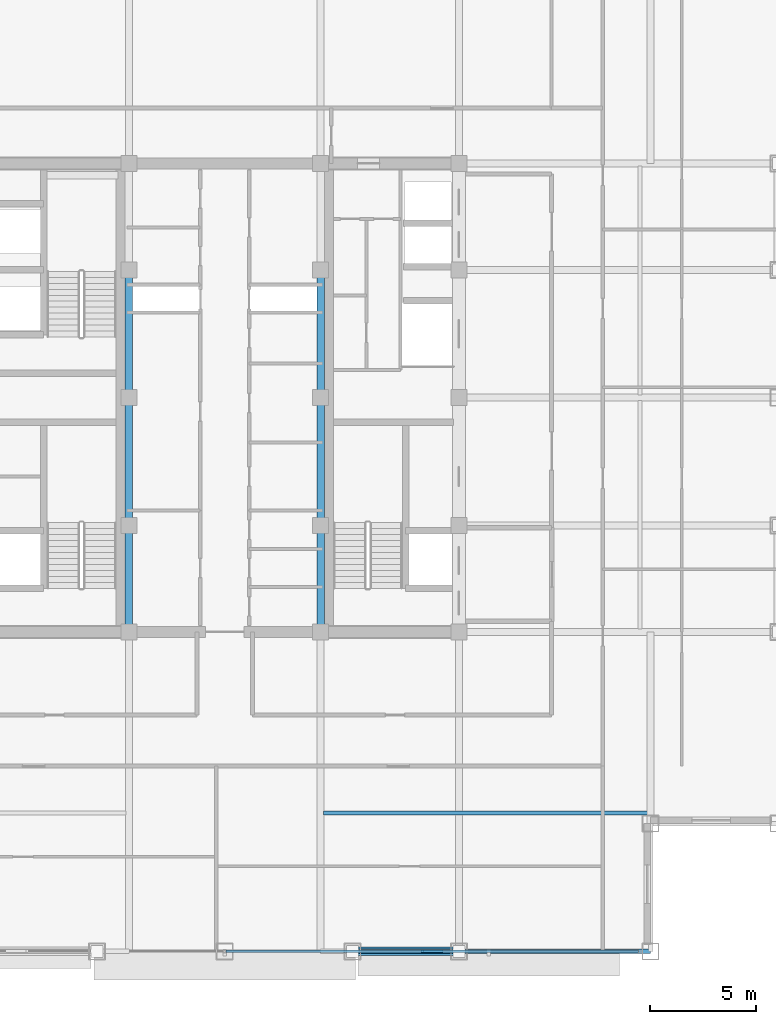
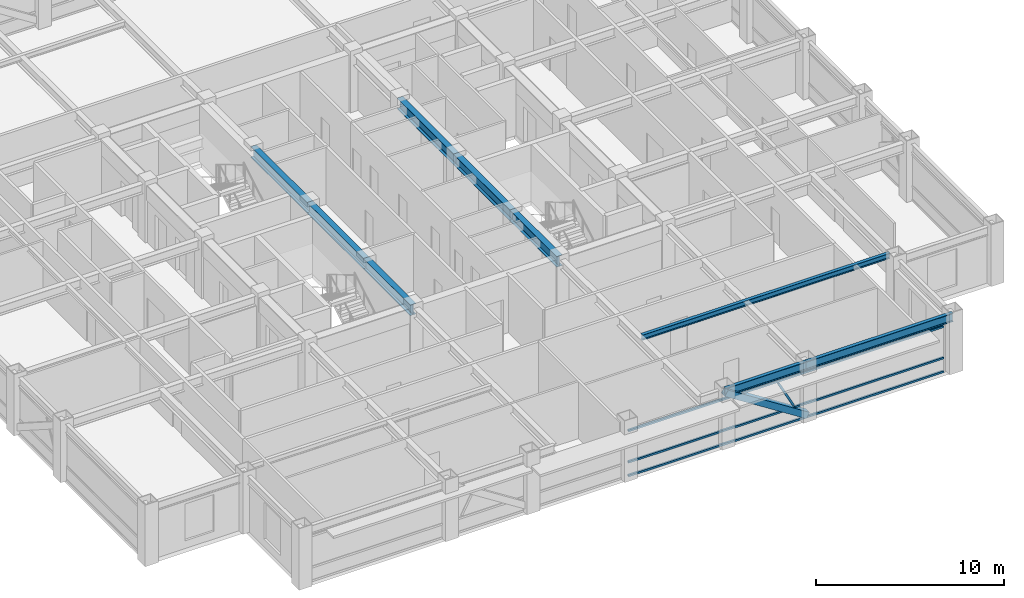
# One storey, part 7 of 32: 9 beams, 5 members, 1 element without a shape of its own.
"""IFC4 building model written with IfcOpenShell, lengths in metres."""

import ifcopenshell
import ifcopenshell.guid

model = None  # the IFC model being written
_history = None  # IfcOwnerHistory: only IFC2X3 demands one
_inside = {}  # id of a spatial element -> (the spatial element, [elements in it])
_under = {}  # id of a project, library or spatial element -> (it, [spatial elements below it])
_declared = {}  # id of a project -> (the project, [libraries it declares])
_typed = {}  # id of a type object -> (the type object, [elements of that type])
_made_of = {}  # id of a material, layer set ... -> (it, [elements and type objects made of it])


def new_model(schema):
    """Start an empty IFC model of exactly this schema.

    Asked for "IFC4X3", IfcOpenShell would pick the latest addendum, in which some entities
    have other attributes; the version numbers below select the first issue.
    IFC2X3 requires an IfcOwnerHistory on every rooted entity: one is made here for all.
    """
    global model, _history
    if schema == "IFC4X3":
        model = ifcopenshell.file(schema_version=(4, 3, 0, 0))
    else:
        model = ifcopenshell.file(schema=schema)
    _inside.clear()
    _under.clear()
    _declared.clear()
    _typed.clear()
    _made_of.clear()
    _history = None
    if model.schema == "IFC2X3":
        org = make("IfcOrganization", Name="unknown")
        user = make(
            "IfcPersonAndOrganization",
            ThePerson=make("IfcPerson", FamilyName="unknown"),
            TheOrganization=org,
        )
        app = make(
            "IfcApplication",
            ApplicationDeveloper=org,
            Version="unknown",
            ApplicationFullName="unknown",
            ApplicationIdentifier="unknown",
        )
        _history = make(
            "IfcOwnerHistory",
            OwningUser=user,
            OwningApplication=app,
            ChangeAction="ADDED",
            CreationDate=0,
        )
    return model


def make(cls, **values):
    """One entity of the class cls with the attributes given. An attribute that is None is left unset."""
    return model.create_entity(
        cls, **{name: value for name, value in values.items() if value is not None}
    )


def rooted(cls, **values):
    """An entity with a GlobalId (a new one), such as an element, a storey or a relation."""
    return make(cls, GlobalId=ifcopenshell.guid.new(), OwnerHistory=_history, **values)


def si_unit(unit_type, name, prefix=None):
    """IfcSIUnit, for example si_unit("LENGTHUNIT", "METRE", prefix="MILLI")."""
    return make("IfcSIUnit", UnitType=unit_type, Prefix=prefix, Name=name)


def assignment(units):
    """IfcUnitAssignment: the units of a project."""
    return None if units is None else make("IfcUnitAssignment", Units=units)


def point(xyz):
    """IfcCartesianPoint."""
    return None if xyz is None else make("IfcCartesianPoint", Coordinates=xyz)


def direction(xyz):
    """IfcDirection."""
    return None if xyz is None else make("IfcDirection", DirectionRatios=xyz)


def frame(location, z_axis=None, x_axis=None):
    """IfcAxis2Placement3D, a coordinate frame: its origin and axes. An axis left out is left unset."""
    return make(
        "IfcAxis2Placement3D",
        Location=point(location),
        Axis=direction(z_axis),
        RefDirection=direction(x_axis),
    )


def frame_2d(location, x_axis=None):
    """IfcAxis2Placement2D, a coordinate frame in the plane: its origin and x axis."""
    return make(
        "IfcAxis2Placement2D", Location=point(location), RefDirection=direction(x_axis)
    )


def origin():
    """The frame at (0, 0, 0) with its axes left unset."""
    return frame((0.0, 0.0, 0.0))


def origin_2d():
    """The frame at (0, 0) in the plane with its x axis left unset."""
    return frame_2d((0.0, 0.0))


def place(relative_to, where):
    """IfcLocalPlacement: puts the frame where relative to a parent placement (None: the world)."""
    return make(
        "IfcLocalPlacement", PlacementRelTo=relative_to, RelativePlacement=where
    )


def context(
    kind, dimensions, precision=None, world=None, true_north=None, identifier=None
):
    """IfcGeometricRepresentationContext, for example the 3D "Model" context."""
    return make(
        "IfcGeometricRepresentationContext",
        ContextIdentifier=identifier,
        ContextType=kind,
        CoordinateSpaceDimension=dimensions,
        Precision=precision,
        WorldCoordinateSystem=world,
        TrueNorth=true_north,
    )


def subcontext(parent, identifier, kind, view, scale=None):
    """IfcGeometricRepresentationSubContext, for example "Body" below "Model"."""
    return make(
        "IfcGeometricRepresentationSubContext",
        ContextIdentifier=identifier,
        ContextType=kind,
        ParentContext=parent,
        TargetScale=scale,
        TargetView=view,
    )


def project(units=None, contexts=None):
    """IfcProject with its units and contexts."""
    return rooted(
        "IfcProject",
        Name="project",
        RepresentationContexts=contexts,
        UnitsInContext=assignment(units),
    )


def spatial(cls, under=None, at=None, **own):
    """A site, building, storey or space (cls), placed at a placement, below another one or the project."""
    s = rooted(cls, ObjectPlacement=at, **own)
    if under is not None:
        _under.setdefault(under.id(), (under, []))[1].append(s)
    return s


def profile(cls, at=None, kind="AREA", **sizes):
    """A parametric profile (cls). Its sizes go by their IFC names, for example OverallWidth=200.0."""
    return make(cls, ProfileType=kind, Position=at, **sizes)


def hollow_rectangle(**sizes):
    """IfcRectangleHollowProfileDef."""
    return profile("IfcRectangleHollowProfileDef", **sizes)


def i_section(**sizes):
    """IfcIShapeProfileDef."""
    return profile("IfcIShapeProfileDef", **sizes)


def extrude(swept, where, along, depth):
    """IfcExtrudedAreaSolid: the profile swept, set in the frame where, extruded along a direction by depth."""
    return make(
        "IfcExtrudedAreaSolid",
        SweptArea=swept,
        Position=where,
        ExtrudedDirection=direction(along),
        Depth=depth,
    )


def shape(context_of_items, identifier, shape_type, items):
    """IfcShapeRepresentation: the items that make up one representation, for example the "Body"."""
    return make(
        "IfcShapeRepresentation",
        ContextOfItems=context_of_items,
        RepresentationIdentifier=identifier,
        RepresentationType=shape_type,
        Items=items,
    )


def source(mapping_origin, context_of_items, identifier, shape_type, items):
    """IfcRepresentationMap: a shape defined once, which mapped items show again and again."""
    return make(
        "IfcRepresentationMap",
        MappingOrigin=mapping_origin,
        MappedRepresentation=shape(context_of_items, identifier, shape_type, items),
    )


def transform(
    local_origin,
    x_axis=None,
    y_axis=None,
    z_axis=None,
    scale=None,
    scale2=None,
    scale3=None,
    uniform=True,
):
    """IfcCartesianTransformationOperator3D, or its non-uniform kind. x_axis, y_axis, z_axis: its Axis1, 2, 3."""
    if uniform:
        return make(
            "IfcCartesianTransformationOperator3D",
            Axis1=direction(x_axis),
            Axis2=direction(y_axis),
            LocalOrigin=point(local_origin),
            Scale=scale,
            Axis3=direction(z_axis),
        )
    return make(
        "IfcCartesianTransformationOperator3DnonUniform",
        Axis1=direction(x_axis),
        Axis2=direction(y_axis),
        LocalOrigin=point(local_origin),
        Scale=scale,
        Axis3=direction(z_axis),
        Scale2=scale2,
        Scale3=scale3,
    )


def mapped(mapping_source, mapping_target):
    """IfcMappedItem: shows the shape of a source again, moved by a transform."""
    return make(
        "IfcMappedItem", MappingSource=mapping_source, MappingTarget=mapping_target
    )


def material(Name=None, Category=None):
    """IfcMaterial."""
    return make("IfcMaterial", Name=Name, Category=Category)


def material_profile(
    of_material, cross_section, Name=None, Category=None, Priority=None
):
    """IfcMaterialProfile: a cross section and its material."""
    return make(
        "IfcMaterialProfile",
        Name=Name,
        Material=of_material,
        Profile=cross_section,
        Priority=Priority,
        Category=Category,
    )


def profile_set(profiles, Name=None, composite=None):
    """IfcMaterialProfileSet."""
    return make(
        "IfcMaterialProfileSet",
        Name=Name,
        MaterialProfiles=profiles,
        CompositeProfile=composite,
    )


def made_of(thing, what):
    """Note that an element or type object is made of a material, layer set ...; save() writes the relation."""
    if what is not None:
        _made_of.setdefault(what.id(), (what, []))[1].append(thing)
    return thing


def type_object(cls, material=None, **own):
    """A type object (cls), such as IfcWallType, which elements share."""
    return made_of(rooted(cls, **own), material)


def element(
    cls,
    number,
    at=None,
    inside=None,
    cuts=None,
    type_object=None,
    material=None,
    context=None,
    identifier="Body",
    shape_type=None,
    held_by="IfcProductDefinitionShape",
    body=None,
    shapes=None,
    **own,
):
    """One element of the class cls, such as IfcWall. Its Tag is "e" and its number.

    at: its placement. inside: the storey or other place that contains it. cuts: it is an
    opening in that element (IfcRelVoidsElement). A single representation is given by context,
    identifier, shape_type and body (its items); several are given by shapes. held_by: the class
    of the entity that holds the representations. save() writes the other relations.
    """
    e = rooted(cls, Tag="e%d" % number, ObjectPlacement=at, **own)
    if body is not None:
        shapes = [shape(context, identifier, shape_type, body)]
    if shapes is not None:
        e.Representation = make(held_by, Representations=shapes)
    if inside is not None:
        _inside.setdefault(inside.id(), (inside, []))[1].append(e)
    if cuts is not None:
        rooted(
            "IfcRelVoidsElement", RelatingBuildingElement=cuts, RelatedOpeningElement=e
        )
    if type_object is not None:
        _typed.setdefault(type_object.id(), (type_object, []))[1].append(e)
    return made_of(e, material)


def aggregate(whole, parts):
    """IfcRelAggregates: a whole, such as a stair, and the parts it consists of."""
    return rooted("IfcRelAggregates", RelatingObject=whole, RelatedObjects=parts)


def save(model, path):
    """Write the relations noted so far, then the file.

    IfcRelAggregates (storeys below a building ...), IfcRelContainedInSpatialStructure (elements
    in a storey), IfcRelDefinesByType, IfcRelAssociatesMaterial and IfcRelDeclares: one each for
    every whole, place, type object, material and project.
    """
    for whole, parts in _under.values():
        aggregate(whole, parts)
    for where, things in _inside.values():
        rooted(
            "IfcRelContainedInSpatialStructure",
            RelatedElements=things,
            RelatingStructure=where,
        )
    for kind, things in _typed.values():
        rooted("IfcRelDefinesByType", RelatedObjects=things, RelatingType=kind)
    for what, things in _made_of.values():
        rooted("IfcRelAssociatesMaterial", RelatedObjects=things, RelatingMaterial=what)
    for by, libraries in _declared.values():
        rooted("IfcRelDeclares", RelatingContext=by, RelatedDefinitions=libraries)
    model.write(path)


model = new_model("IFC4")

# Units and contexts
model_context = context("Model", 3, precision=1e-05, world=origin(), true_north=direction((0.0, 1.0)))
body_context = subcontext(model_context, "Body", "Model", "MODEL_VIEW")
ifc_project = project(units=[si_unit("LENGTHUNIT", "METRE"), si_unit("AREAUNIT", "SQUARE_METRE"), si_unit("VOLUMEUNIT", "CUBIC_METRE"), si_unit("PLANEANGLEUNIT", "RADIAN"), si_unit("MASSUNIT", "GRAM", prefix="KILO")], contexts=[model_context])

# Site, building, storey
site_placement = place(None, origin())
site = spatial("IfcSite", under=ifc_project, at=site_placement, CompositionType="ELEMENT")
building_placement = place(site_placement, origin())
building = spatial("IfcBuilding", under=site, at=building_placement, Name="Khorayat Bourse Tower", CompositionType="ELEMENT")
storey_placement = place(building_placement, frame((0.0, 0.0, 342.300048828125)))
storey = spatial("IfcBuildingStorey", under=building, at=storey_placement, Name="L81", CompositionType="ELEMENT", Elevation=342.300048828125)

# Beams
ifc_material_1 = material(Name="Steel ASTM A992 Grade 50", Category="steel")
ifc_material_profile_1 = material_profile(ifc_material_1, i_section(OverallWidth=0.35498046875, OverallDepth=0.695068359375, WebThickness=0.015380859375, FlangeThickness=0.02490234375, FilletRadius=0.01806640625, at=origin_2d()), Name="W690X217")
ifc_profile_set_1 = profile_set([ifc_material_profile_1], Name="Steel ASTM A992 Grade 50")
beam_type_1 = type_object("IfcBeamType", Name="BM-GIRD-690", PredefinedType="BEAM", material=ifc_profile_set_1)
shared_shape_1 = source(origin(), body_context, "Body", "SweptSolid", [
    extrude(i_section(OverallWidth=0.35498046875, OverallDepth=0.695068359375, WebThickness=0.015380859375, FlangeThickness=0.02490234375, FilletRadius=0.01806640625, at=origin_2d()), origin(), (0.0, 0.0, 1.0), 5.0),
])
for number, where, z_axis, x_axis, name in (
    (1, (-4.5, -11.0, 3.3525390625), (0.0, 1.0, 0.0), (-1.0, 0.0, 0.0), "L81 BM-GIRD-690 BM-L81-CRX-05"),
    (2, (4.5, -11.0, 3.3525390625), (0.0, 1.0, 0.0), (-1.0, 0.0, 0.0), "L81 BM-GIRD-690 BM-L81-CRX-09"),
):
    element("IfcBeam", number, at=place(storey_placement, frame(where, z_axis=z_axis, x_axis=x_axis)), inside=storey, type_object=beam_type_1, Name=name, PredefinedType="BEAM", context=body_context, shape_type="MappedRepresentation", body=[
        mapped(shared_shape_1, transform((0.0, 0.0, 0.0), scale=1.0)),
    ])
shared_shape_2 = source(origin(), body_context, "Body", "SweptSolid", [
    extrude(i_section(OverallWidth=0.35498046875, OverallDepth=0.695068359375, WebThickness=0.015380859375, FlangeThickness=0.02490234375, FilletRadius=0.01806640625, at=origin_2d()), origin(), (0.0, 0.0, 1.0), 6.0),
])
for number, where, z_axis, x_axis, name in (
    (3, (-4.5, -6.0, 3.3525390625), (0.0, 1.0, 0.0), (-1.0, 0.0, 0.0), "L81 BM-GIRD-690 BM-L81-CRX-06"),
    (4, (-4.5, 0.0, 3.3525390625), (0.0, 1.0, 0.0), (-1.0, 0.0, 0.0), "L81 BM-GIRD-690 BM-L81-CRX-07"),
    (5, (4.5, -6.0, 3.3525390625), (0.0, 1.0, 0.0), (-1.0, 0.0, 0.0), "L81 BM-GIRD-690 BM-L81-CRX-10"),
    (6, (4.5, 0.0, 3.3525390625), (0.0, 1.0, 0.0), (-1.0, 0.0, 0.0), "L81 BM-GIRD-690 BM-L81-CRX-11"),
):
    element("IfcBeam", number, at=place(storey_placement, frame(where, z_axis=z_axis, x_axis=x_axis)), inside=storey, type_object=beam_type_1, Name=name, PredefinedType="BEAM", context=body_context, shape_type="MappedRepresentation", body=[
        mapped(shared_shape_2, transform((0.0, 0.0, 0.0), scale=1.0)),
    ])
ifc_material_profile_2 = material_profile(ifc_material_1, i_section(OverallWidth=0.214111328125, OverallDepth=0.549072265625, WebThickness=0.0146484375, FlangeThickness=0.023681640625, FilletRadius=0.013916015625, at=origin_2d()), Name="W530X138")
ifc_profile_set_2 = profile_set([ifc_material_profile_2], Name="Steel ASTM A992 Grade 50")
beam_type_2 = type_object("IfcBeamType", Name="BM-SPAN-530", PredefinedType="SPANDREL", material=ifc_profile_set_2)
shared_shape_3 = source(origin(), body_context, "Body", "SweptSolid", [
    extrude(i_section(OverallWidth=0.214111328125, OverallDepth=0.549072265625, WebThickness=0.0146484375, FlangeThickness=0.023681640625, FilletRadius=0.013916015625, at=origin_2d()), origin(), (0.0, 0.0, 1.0), 9.0),
])
beam_1_placement = place(storey_placement, frame((11.0, -26.0, 3.425537109375), z_axis=(1.0, 0.0, 0.0), x_axis=(0.0, 1.0, 0.0)))
element("IfcBeam", 7, at=beam_1_placement, inside=storey, type_object=beam_type_2, Name="L81 BM-SPAN-530 BM-L81-SPN-026", PredefinedType="SPANDREL", context=body_context, shape_type="MappedRepresentation", body=[
    mapped(shared_shape_3, transform((0.0, 0.0, 0.0), scale=1.0)),
])
shared_shape_4 = source(origin(), body_context, "Body", "SweptSolid", [
    extrude(i_section(OverallWidth=0.214111328125, OverallDepth=0.549072265625, WebThickness=0.0146484375, FlangeThickness=0.023681640625, FilletRadius=0.013916015625, at=origin_2d()), origin(), (0.0, 0.0, 1.0), 5.0),
])
beam_2_placement = place(storey_placement, frame((6.0, -26.0, 3.425537109375), z_axis=(1.0, 0.0, 0.0), x_axis=(0.0, 1.0, 0.0)))
element("IfcBeam", 8, at=beam_2_placement, inside=storey, type_object=beam_type_2, Name="L81 BM-SPAN-530 BM-L81-SPN-025", PredefinedType="SPANDREL", context=body_context, shape_type="MappedRepresentation", body=[
    mapped(shared_shape_4, transform((0.0, 0.0, 0.0), scale=1.0)),
])
ifc_material_profile_3 = material_profile(ifc_material_1, i_section(OverallWidth=0.202880859375, OverallDepth=0.346923828125, WebThickness=0.0078125, FlangeThickness=0.013427734375, FilletRadius=0.010009765625, at=origin_2d()), Name="W360X64")
ifc_profile_set_3 = profile_set([ifc_material_profile_3], Name="Steel ASTM A992 Grade 50")
beam_type_3 = type_object("IfcBeamType", Name="BM-JOIST-360", PredefinedType="JOIST", material=ifc_profile_set_3)
shared_shape_5 = source(origin(), body_context, "Body", "SweptSolid", [
    extrude(i_section(OverallWidth=0.202880859375, OverallDepth=0.346923828125, WebThickness=0.0078125, FlangeThickness=0.013427734375, FilletRadius=0.010009765625, at=origin_2d()), origin(), (0.0, 0.0, 1.0), 15.240234375),
])
beam_3_placement = place(storey_placement, frame((4.6298828125, -19.5, 3.5263671875), z_axis=(1.0, 0.0, 0.0), x_axis=(0.0, 1.0, 0.0)))
element("IfcBeam", 9, at=beam_3_placement, inside=storey, type_object=beam_type_3, Name="L81 BM-JOIST-360 BM-L81-JSTX-076", PredefinedType="JOIST", context=body_context, shape_type="MappedRepresentation", body=[
    mapped(shared_shape_5, transform((0.0, 0.0, 0.0), scale=1.0)),
])

# Member
ifc_material_2 = material(Name="Steel EN 10025-4 S460M", Category="steel")
ifc_material_profile_4 = material_profile(ifc_material_2, hollow_rectangle(XDim=0.39990234375, YDim=0.39990234375, WallThickness=0.02197265625, at=origin_2d()), Name="HSS 400x400x22")
ifc_profile_set_4 = profile_set([ifc_material_profile_4], Name="Steel EN 10025-4 S460M")
member_type_1 = type_object("IfcMemberType", Name="MBR-TUBE-400", PredefinedType="BRACE", material=ifc_profile_set_4)
shared_shape_6 = source(origin(), body_context, "Body", "SweptSolid", [
    extrude(hollow_rectangle(XDim=0.39990234375, YDim=0.39990234375, WallThickness=0.02197265625, at=origin_2d()), origin(), (0.0, 0.0, 1.0), 5.936279296875),
])
member_1_placement = place(storey_placement, frame((6.0, -26.0, 3.449951171875), z_axis=(0.84227513519, 0.0, -0.539047861178), x_axis=(0.0, 1.0, 0.0)))
element("IfcMember", 10, at=member_1_placement, inside=storey, type_object=member_type_1, Name="L81 Perimeter Tube Brace 02", PredefinedType="BRACE", context=body_context, shape_type="MappedRepresentation", body=[
    mapped(shared_shape_6, transform((0.0, 0.0, 0.0), scale=1.0)),
])

# Curtain wall, members
ifc_material_3 = material(Name="Aluminium EN AW-6063 T6", Category="aluminium")
curtain_wall_type = type_object("IfcCurtainWallType", Name="CW-SYS-04", PredefinedType="NOTDEFINED", material=ifc_material_3)
curtain_wall_placement = place(storey_placement, origin())
curtain_wall = element("IfcCurtainWall", 11, at=curtain_wall_placement, inside=storey, type_object=curtain_wall_type, Name="L81 Curtain Wall CW-L81-S1", PredefinedType="NOTDEFINED")
ifc_material_profile_5 = material_profile(ifc_material_3, hollow_rectangle(XDim=0.1201171875, YDim=0.1201171875, WallThickness=0.0048828125, at=origin_2d()), Name="ALU 120x120x5")
ifc_profile_set_5 = profile_set([ifc_material_profile_5], Name="Aluminium EN AW-6063 T6")
member_type_2 = type_object("IfcMemberType", Name="CWT-HORZ-120", PredefinedType="USERDEFINED", material=ifc_profile_set_5)
shared_shape_7 = source(origin(), body_context, "Body", "SweptSolid", [
    extrude(hollow_rectangle(XDim=0.1201171875, YDim=0.1201171875, WallThickness=0.0048828125, at=origin_2d()), origin(), (0.0, 0.0, 1.0), 19.369873046875),
])
member_2_placement = place(storey_placement, frame((0.06005859375, -26.0, 0.06005859375), z_axis=(1.0, 0.0, 0.0), x_axis=(0.0, 1.0, 0.0)))
member_2 = element("IfcMember", 12, at=member_2_placement, type_object=member_type_2, Name="CW-L81-S1 Horizontal Transom 2-1", ObjectType="TRANSOM", PredefinedType="USERDEFINED", context=body_context, shape_type="MappedRepresentation", body=[
    mapped(shared_shape_7, transform((0.0, 0.0, 0.0), scale=1.0)),
])
member_3_placement = place(storey_placement, frame((0.06005859375, -26.0, 0.949951171875), z_axis=(1.0, 0.0, 0.0), x_axis=(0.0, 1.0, 0.0)))
member_3 = element("IfcMember", 13, at=member_3_placement, type_object=member_type_2, Name="CW-L81-S1 Horizontal Transom 2-2", ObjectType="TRANSOM", PredefinedType="USERDEFINED", context=body_context, shape_type="MappedRepresentation", body=[
    mapped(shared_shape_7, transform((0.0, 0.0, 0.0), scale=1.0)),
])
member_4_placement = place(storey_placement, frame((0.06005859375, -26.0, 2.989990234375), z_axis=(1.0, 0.0, 0.0), x_axis=(0.0, 1.0, 0.0)))
member_4 = element("IfcMember", 14, at=member_4_placement, type_object=member_type_2, Name="CW-L81-S1 Horizontal Transom 2-3", ObjectType="TRANSOM", PredefinedType="USERDEFINED", context=body_context, shape_type="MappedRepresentation", body=[
    mapped(shared_shape_7, transform((0.0, 0.0, 0.0), scale=1.0)),
])
ifc_material_profile_6 = material_profile(ifc_material_3, hollow_rectangle(XDim=0.1201171875, YDim=0.1201171875, WallThickness=0.0048828125, at=origin_2d()), Name="ALU 120x120x5")
ifc_profile_set_6 = profile_set([ifc_material_profile_6], Name="Aluminium EN AW-6063 T6")
member_type_3 = type_object("IfcMemberType", Name="CWM-DIAG-120", PredefinedType="MULLION", material=ifc_profile_set_6)
shared_shape_8 = source(origin(), body_context, "Body", "SweptSolid", [
    extrude(hollow_rectangle(XDim=0.1201171875, YDim=0.1201171875, WallThickness=0.0048828125, at=origin_2d()), origin(), (0.0, 0.0, 1.0), 1.989013671875),
])
member_5_placement = place(storey_placement, frame((10.208251953125, -26.0, 1.08984375), z_axis=(-0.46582231551, 0.0, 0.884878279976), x_axis=(0.0, -1.0, 0.0)))
member_5 = element("IfcMember", 15, at=member_5_placement, type_object=member_type_3, Name="CW-L81-S1 Faceted Diagonal Mullion 2", PredefinedType="MULLION", context=body_context, shape_type="MappedRepresentation", body=[
    mapped(shared_shape_8, transform((0.0, 0.0, 0.0), scale=1.0)),
])
aggregate(curtain_wall, [member_2, member_3, member_4, member_5])

save(model, "model.ifc")
